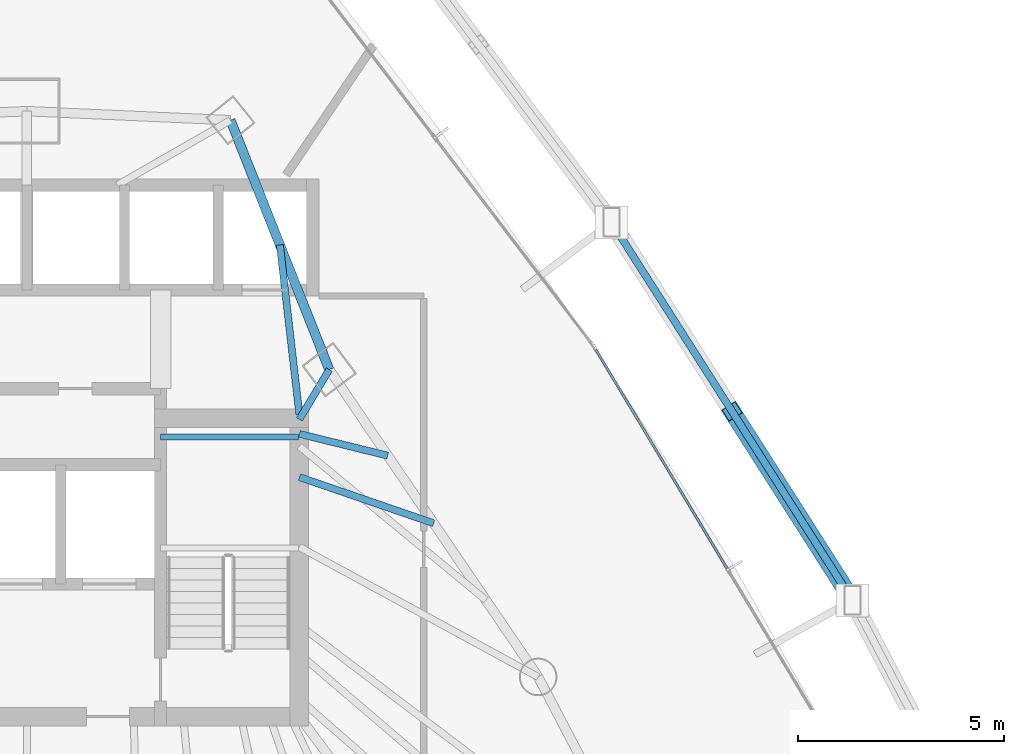
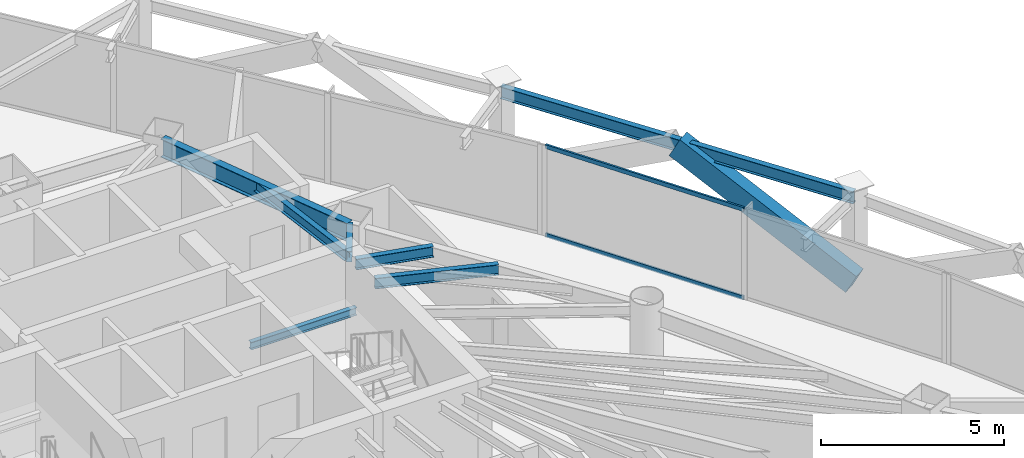
# One storey, part 28 of 38: 7 beams, 3 members, 1 element without a shape of its own.
"""IFC4 building model written with IfcOpenShell, lengths in metres."""

from ifc_helpers import new_model, si_unit, direction, frame, origin, origin_2d, place, context, subcontext, project, spatial, hollow_rectangle, i_section, extrude, material, layer, layer_set, material_profile, profile_set, type_object, element, aggregate, save


model = new_model("IFC4")

# Units and contexts
model_context = context("Model", 3, precision=1e-05, world=origin(), true_north=direction((0.0, 1.0)))
body_context = subcontext(model_context, "Body", "Model", "MODEL_VIEW")
ifc_project = project(units=[si_unit("LENGTHUNIT", "METRE"), si_unit("AREAUNIT", "SQUARE_METRE"), si_unit("VOLUMEUNIT", "CUBIC_METRE"), si_unit("PLANEANGLEUNIT", "RADIAN"), si_unit("MASSUNIT", "GRAM", prefix="KILO")], contexts=[model_context])

# Site, building, storey
site_placement = place(None, origin())
site = spatial("IfcSite", under=ifc_project, at=site_placement, CompositionType="ELEMENT")
building_placement = place(site_placement, origin())
building = spatial("IfcBuilding", under=site, at=building_placement, Name="Orvanel Arch Residences", CompositionType="ELEMENT")
storey_placement = place(building_placement, frame((0.0, 0.0, 56.60009765625)))
storey = spatial("IfcBuildingStorey", under=building, at=storey_placement, Name="L15", CompositionType="ELEMENT", Elevation=56.60009765625)

# Beams
ifc_material_1 = material(Name="Structural steel AS/NZS 3679.1 Grade 300 (300 MPa)", Category="steel")
ifc_material_profile_1 = material_profile(ifc_material_1, i_section(OverallWidth=0.14599609375, OverallDepth=0.251953125, WebThickness=0.006103515625, FlangeThickness=0.008544921875, at=origin_2d()), Name="250UB31.4")
ifc_profile_set_1 = profile_set([ifc_material_profile_1], Name="Structural steel AS/NZS 3679.1 Grade 300 (300 MPa)")
beam_type_1 = type_object("IfcBeamType", Name="BJ-250UB", PredefinedType="JOIST", material=ifc_profile_set_1)
beam_1_placement = place(storey_placement, frame((36.25, 33.47998046875, 1.323974609375), z_axis=(1.0, 0.0, 0.0), x_axis=(0.0, 1.0, 0.0)))
element("IfcBeam", 1, at=beam_1_placement, inside=storey, type_object=beam_type_1, Name="L15 ST-2 Half-Landing Support Beam 1.2", PredefinedType="JOIST", context=body_context, shape_type="SweptSolid", body=[
    extrude(i_section(OverallWidth=0.14599609375, OverallDepth=0.251953125, WebThickness=0.006103515625, FlangeThickness=0.008544921875, at=origin_2d()), origin(), (0.0, 0.0, 1.0), 3.35009765625),
])
ifc_material_profile_2 = material_profile(ifc_material_1, i_section(OverallWidth=0.1708984375, OverallDepth=0.35595703125, WebThickness=0.00732421875, FlangeThickness=0.011474609375, at=origin_2d()), Name="360UB50.7")
ifc_profile_set_2 = profile_set([ifc_material_profile_2], Name="Structural steel AS/NZS 3679.1 Grade 300 (300 MPa)")
beam_type_2 = type_object("IfcBeamType", Name="BJ-360UB", PredefinedType="JOIST", material=ifc_profile_set_2)
beam_2_placement = place(storey_placement, frame((39.625, 33.89990234375, 2.841796875), z_axis=(0.514064138778, 0.857751748015, 0.0), x_axis=(-0.857751748015, 0.514064138778, 0.0)))
element("IfcBeam", 2, at=beam_2_placement, inside=storey, type_object=beam_type_2, Name="L15 NNE Wing Floor Joist", PredefinedType="JOIST", context=body_context, shape_type="SweptSolid", body=[
    extrude(i_section(OverallWidth=0.1708984375, OverallDepth=0.35595703125, WebThickness=0.00732421875, FlangeThickness=0.011474609375, at=origin_2d()), origin(), (0.0, 0.0, 1.0), 1.414306640625),
])
beam_3_placement = place(storey_placement, frame((39.625, 34.02001953125, 2.841796875), z_axis=(-0.114186670431, 0.993459311847, 0.0), x_axis=(-0.993459311847, -0.114186670431, 0.0)))
element("IfcBeam", 3, at=beam_3_placement, inside=storey, type_object=beam_type_2, Name="L15 NNE2 Wing Floor Joist", PredefinedType="JOIST", context=body_context, shape_type="SweptSolid", body=[
    extrude(i_section(OverallWidth=0.1708984375, OverallDepth=0.35595703125, WebThickness=0.00732421875, FlangeThickness=0.011474609375, at=origin_2d()), origin(), (0.0, 0.0, 1.0), 4.152099609375),
])
beam_4_placement = place(storey_placement, frame((39.625, 32.5, 2.841796875), z_axis=(0.945658073701, -0.325162740247, 0.0), x_axis=(0.325162740247, 0.945658073701, 0.0)))
element("IfcBeam", 4, at=beam_4_placement, inside=storey, type_object=beam_type_2, Name="L15 ENE Wing Floor Joist", PredefinedType="JOIST", context=body_context, shape_type="SweptSolid", body=[
    extrude(i_section(OverallWidth=0.1708984375, OverallDepth=0.35595703125, WebThickness=0.00732421875, FlangeThickness=0.011474609375, at=origin_2d()), origin(), (0.0, 0.0, 1.0), 3.453857421875),
])
beam_5_placement = place(storey_placement, frame((39.625, 33.550048828125, 2.841796875), z_axis=(0.971005818547, -0.239055851942, 0.0), x_axis=(0.239055851942, 0.971005818547, 0.0)))
element("IfcBeam", 5, at=beam_5_placement, inside=storey, type_object=beam_type_2, Name="L15 JADD4 Wing Floor Joist", PredefinedType="JOIST", context=body_context, shape_type="SweptSolid", body=[
    extrude(i_section(OverallWidth=0.1708984375, OverallDepth=0.35595703125, WebThickness=0.00732421875, FlangeThickness=0.011474609375, at=origin_2d()), origin(), (0.0, 0.0, 1.0), 2.213134765625),
])

# Member
ifc_material_2 = material(Name="Structural steel AS/NZS 3678 Grade 350", Category="steel")
ifc_material_profile_3 = material_profile(ifc_material_2, hollow_rectangle(XDim=0.419921875, YDim=0.719970703125, WallThickness=0.02490234375, at=origin_2d()), Name="RHS720x420x25")
ifc_profile_set_3 = profile_set([ifc_material_profile_3], Name="Structural steel AS/NZS 3678 Grade 350")
member_type_1 = type_object("IfcMemberType", Name="BR-720RHS-EXT", PredefinedType="BRACE", material=ifc_profile_set_3)
member_1_placement = place(storey_placement, frame((53.073974609375, 29.5009765625, 0.0), z_axis=(-0.47737191033, 0.749223614204, 0.459107868749), x_axis=(-0.843358886746, -0.537350712427, 0.0)))
element("IfcMember", 6, at=member_1_placement, inside=storey, type_object=member_type_1, Name="L15 Exterior Sky-Garden V-Frame Chevron F3B2.1", PredefinedType="BRACE", context=body_context, shape_type="SweptSolid", body=[
    extrude(hollow_rectangle(XDim=0.419921875, YDim=0.719970703125, WallThickness=0.02490234375, at=origin_2d()), origin(), (0.0, 0.0, 1.0), 6.135498046875),
])

# Beams
ifc_material_profile_4 = material_profile(ifc_material_1, i_section(OverallWidth=0.177978515625, OverallDepth=0.406005859375, WebThickness=0.0078125, FlangeThickness=0.0126953125, at=origin_2d()), Name="410UB59.7")
ifc_profile_set_4 = profile_set([ifc_material_profile_4], Name="Structural steel AS/NZS 3679.1 Grade 300 (300 MPa)")
beam_type_3 = type_object("IfcBeamType", Name="OB-410UB-EXT", PredefinedType="SPANDREL", material=ifc_profile_set_4)
beam_6_placement = place(storey_placement, frame((53.073974609375, 29.5009765625, 2.81689453125), z_axis=(-0.53731744092, 0.843380084946, 0.0), x_axis=(-0.843380084946, -0.53731744092, 0.0)))
element("IfcBeam", 7, at=beam_6_placement, inside=storey, type_object=beam_type_3, Name="L15 Outer Perimeter Floor Ring Beam 10", PredefinedType="SPANDREL", context=body_context, shape_type="SweptSolid", body=[
    extrude(i_section(OverallWidth=0.177978515625, OverallDepth=0.406005859375, WebThickness=0.0078125, FlangeThickness=0.0126953125, at=origin_2d()), origin(), (0.0, 0.0, 1.0), 10.900390625),
])
ifc_material_profile_5 = material_profile(ifc_material_1, i_section(OverallWidth=0.22900390625, OverallDepth=0.612060546875, WebThickness=0.011962890625, FlangeThickness=0.01953125, at=origin_2d()), Name="610UB125")
ifc_profile_set_5 = profile_set([ifc_material_profile_5], Name="Structural steel AS/NZS 3679.1 Grade 300 (300 MPa)")
beam_type_4 = type_object("IfcBeamType", Name="SP-610UB", PredefinedType="SPANDREL", material=ifc_profile_set_5)
beam_7_placement = place(storey_placement, frame((40.35205078125, 35.113037109375, 2.7138671875), z_axis=(-0.368233143579, 0.929733484376, 0.0), x_axis=(-0.929733484376, -0.368233143579, 0.0)))
element("IfcBeam", 8, at=beam_7_placement, inside=storey, type_object=beam_type_4, Name="L15 Perimeter Spandrel Beam 15", PredefinedType="SPANDREL", context=body_context, shape_type="SweptSolid", body=[
    extrude(i_section(OverallWidth=0.22900390625, OverallDepth=0.612060546875, WebThickness=0.011962890625, FlangeThickness=0.01953125, at=origin_2d()), origin(), (0.0, 0.0, 1.0), 6.523193359375),
])

# Curtain wall, members
ifc_material_3 = material(Name="Bronze-anodised aluminium AA6063-T6", Category="aluminium")
ifc_layer = layer(ifc_material_3, 0.179931640625)
ifc_layer_set = layer_set([ifc_layer], Name="Bronze-anodised aluminium AA6063-T6")
curtain_wall_type = type_object("IfcCurtainWallType", Name="CW2-LOW-SYS", PredefinedType="NOTDEFINED", material=ifc_layer_set)
curtain_wall_placement = place(storey_placement, origin())
curtain_wall = element("IfcCurtainWall", 9, at=curtain_wall_placement, inside=storey, type_object=curtain_wall_type, Name="L15 CW2-LOW-SYS Unitised Curtain Wall", PredefinedType="NOTDEFINED")
ifc_material_profile_6 = material_profile(ifc_material_3, hollow_rectangle(XDim=0.06005859375, YDim=0.135009765625, WallThickness=0.00390625, at=origin_2d()), Name="ALU135x60x4")
ifc_profile_set_6 = profile_set([ifc_material_profile_6], Name="Bronze-anodised aluminium AA6063-T6")
member_type_2 = type_object("IfcMemberType", Name="TRN-135x60", PredefinedType="USERDEFINED", material=ifc_profile_set_6)
member_2_placement = place(storey_placement, frame((50.02392578125, 30.280517578125, 0.02978515625), z_axis=(-0.514351154376, 0.857579669764, 0.0), x_axis=(-0.857579669764, -0.514351154376, 0.0)))
member_2 = element("IfcMember", 10, at=member_2_placement, type_object=member_type_2, Name="CW-S2 transom 2.1", ObjectType="TRANSOM", PredefinedType="USERDEFINED", context=body_context, shape_type="SweptSolid", body=[
    extrude(hollow_rectangle(XDim=0.06005859375, YDim=0.135009765625, WallThickness=0.00390625, at=origin_2d()), origin(), (0.0, 0.0, 1.0), 6.20751953125),
])
member_3_placement = place(storey_placement, frame((50.02392578125, 30.280517578125, 2.989990234375), z_axis=(-0.514351154376, 0.857579669764, 0.0), x_axis=(-0.857579669764, -0.514351154376, 0.0)))
member_3 = element("IfcMember", 11, at=member_3_placement, type_object=member_type_2, Name="CW-S2 transom 2.2", ObjectType="TRANSOM", PredefinedType="USERDEFINED", context=body_context, shape_type="SweptSolid", body=[
    extrude(hollow_rectangle(XDim=0.06005859375, YDim=0.135009765625, WallThickness=0.00390625, at=origin_2d()), origin(), (0.0, 0.0, 1.0), 6.20751953125),
])
aggregate(curtain_wall, [member_2, member_3])

save(model, "model.ifc")
